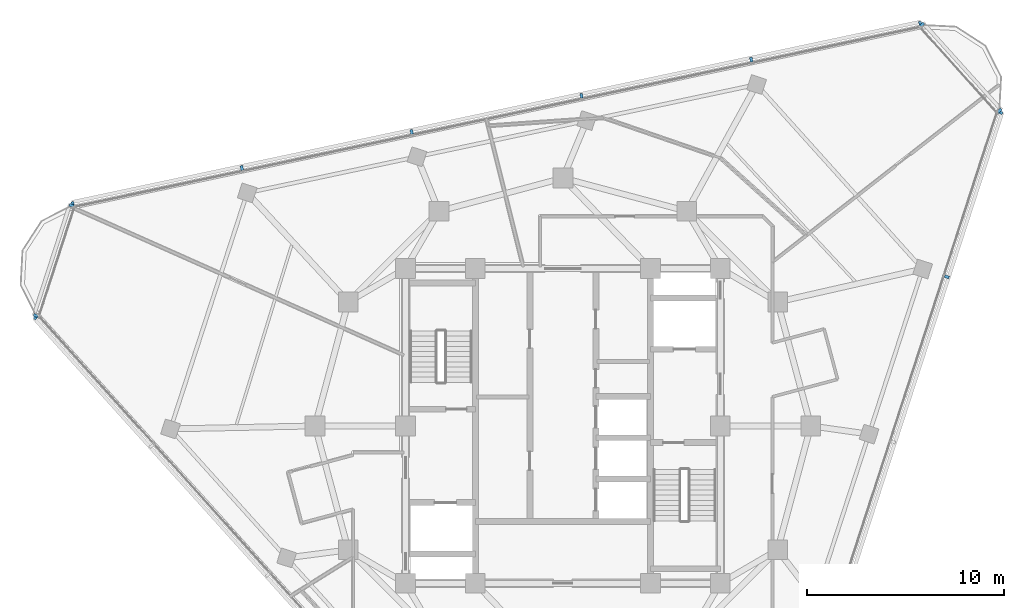
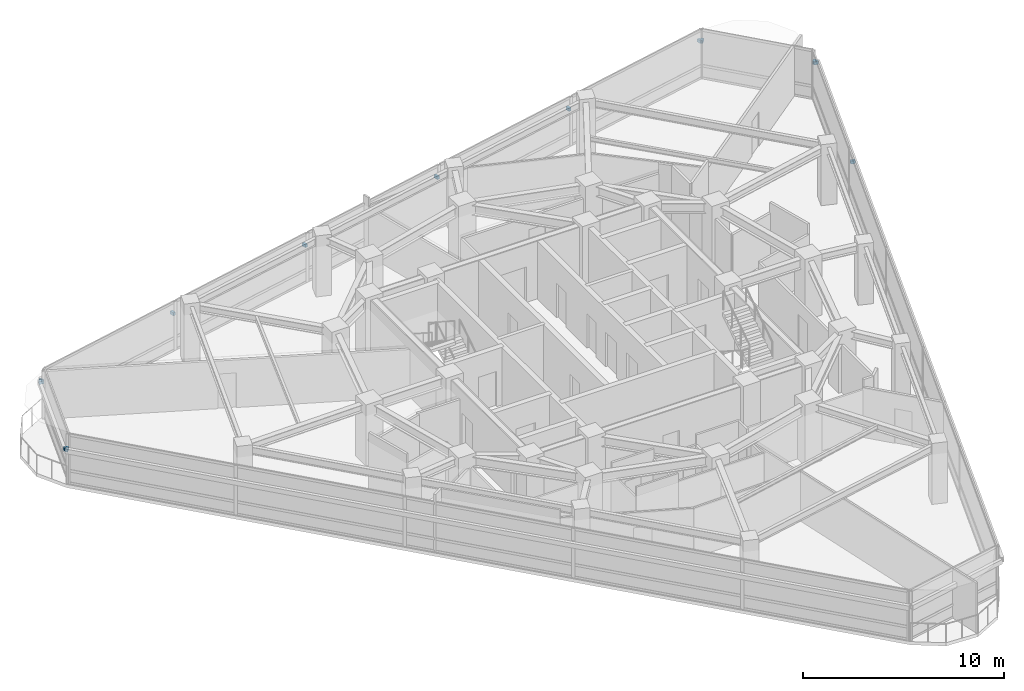
# One storey, part 11 of 15: 13 discrete accessories.
"""IFC4 building model written with IfcOpenShell, lengths in metres."""

from ifc_helpers import new_model, si_unit, direction, frame, origin, origin_2d, place, context, subcontext, project, spatial, rectangle, extrude, material, type_object, element, save


model = new_model("IFC4")

# Units and contexts
model_context = context("Model", 3, precision=1e-05, world=origin(), true_north=direction((0.0, 1.0)))
body_context = subcontext(model_context, "Body", "Model", "MODEL_VIEW")
ifc_project = project(units=[si_unit("LENGTHUNIT", "METRE"), si_unit("AREAUNIT", "SQUARE_METRE"), si_unit("VOLUMEUNIT", "CUBIC_METRE"), si_unit("PLANEANGLEUNIT", "RADIAN"), si_unit("MASSUNIT", "GRAM", prefix="KILO")], contexts=[model_context])

# Site, building, storey
site_placement = place(None, origin())
site = spatial("IfcSite", under=ifc_project, at=site_placement, CompositionType="ELEMENT")
building_placement = place(site_placement, origin())
building = spatial("IfcBuilding", under=site, at=building_placement, Name="Terralouvre Media Tower", CompositionType="ELEMENT")
storey_placement = place(building_placement, frame((0.0, 0.0, 283.199951171875)))
storey = spatial("IfcBuildingStorey", under=building, at=storey_placement, Name="L73", CompositionType="ELEMENT", Elevation=283.199951171875)

# Discrete accessories
ifc_material = material(Name="Anodised extruded aluminium 6063-T6", Category="aluminium")
discrete_accessory_type = type_object("IfcDiscreteAccessoryType", Name="Mullion Stand-Off Baguette Fixing Bracket BK-01", PredefinedType="BRACKET", material=ifc_material)
for number, where, z_axis, x_axis, name in (
    (1, (19.5126953125, 7.5771484375, 2.07421875), (0.0, 0.0, 1.0), (0.309017021946, 0.951056507337, 0.0), "CW-L73-F0 Baguette Outrigger Bracket 1.05"),
    (2, (22.22802734375, 15.93359375, 2.07421875), (0.0, 0.0, 1.0), (0.309017021946, 0.951056507337, 0.0), "CW-L73-F0 Baguette Outrigger Bracket 1.06"),
    (3, (18.169677734375, 20.440673828125, 2.07421875), (0.0, 0.0, 1.0), (-0.978147616145, -0.207911618313, 0.0), "CW-L73-F1 Baguette Outrigger Bracket 1.01"),
    (4, (9.5751953125, 18.614013671875, 2.07421875), (0.0, 0.0, 1.0), (-0.978147616145, -0.207911618313, 0.0), "CW-L73-F1 Baguette Outrigger Bracket 1.02"),
    (5, (0.944091796875, 16.779296875, 2.07421875), (0.0, 0.0, 1.0), (-0.978147616145, -0.207911618313, 0.0), "CW-L73-F1 Baguette Outrigger Bracket 1.03"),
    (6, (-7.687255859375, 14.944580078125, 2.07421875), (0.0, 0.0, 1.0), (-0.978147616145, -0.207911618313, 0.0), "CW-L73-F1 Baguette Outrigger Bracket 1.04"),
    (7, (-16.318359375, 13.110107421875, 2.07421875), (0.0, 0.0, 1.0), (-0.978147616145, -0.207911618313, 0.0), "CW-L73-F1 Baguette Outrigger Bracket 1.05"),
    (8, (-24.912841796875, 11.283203125, 2.07421875), (0.0, 0.0, 1.0), (-0.978147616145, -0.207911618313, 0.0), "CW-L73-F1 Baguette Outrigger Bracket 1.06"),
    (9, (-26.787109375, 5.51513671875, 2.07421875), (0.0, 0.0, 1.0), (0.669130573531, -0.743144855036, 0.0), "CW-L73-F2 Baguette Outrigger Bracket 1.01"),
    (10, (22.19140625, 16.022705078125, 2.07421875), (0.0, 0.0, 1.0), (-0.669130231192, 0.743145163279, 0.0), "CW-L73-C1 Baguette Outrigger Bracket 1.01"),
    (11, (18.254638671875, 20.39501953125, 2.07421875), (0.0, 0.0, 1.0), (-0.669130231192, 0.743145163279, 0.0), "CW-L73-C1 Baguette Outrigger Bracket 1.02"),
    (12, (-24.9716796875, 11.206787109375, 2.07421875), (0.0, 0.0, 1.0), (-0.30901654693, -0.951056661679, 0.0), "CW-L73-C2 Baguette Outrigger Bracket 1.01"),
    (13, (-26.789794921875, 5.611572265625, 2.07421875), (0.0, 0.0, 1.0), (-0.30901654693, -0.951056661679, 0.0), "CW-L73-C2 Baguette Outrigger Bracket 1.02"),
):
    element("IfcDiscreteAccessory", number, at=place(storey_placement, frame(where, z_axis=z_axis, x_axis=x_axis)), inside=storey, type_object=discrete_accessory_type, Name=name, PredefinedType="BRACKET", context=body_context, shape_type="SweptSolid", body=[
        extrude(rectangle(XDim=0.139892578125, YDim=0.239990234375, at=origin_2d()), origin(), (0.0, 0.0, 1.0), 0.179931640625),
    ])

save(model, "model.ifc")
